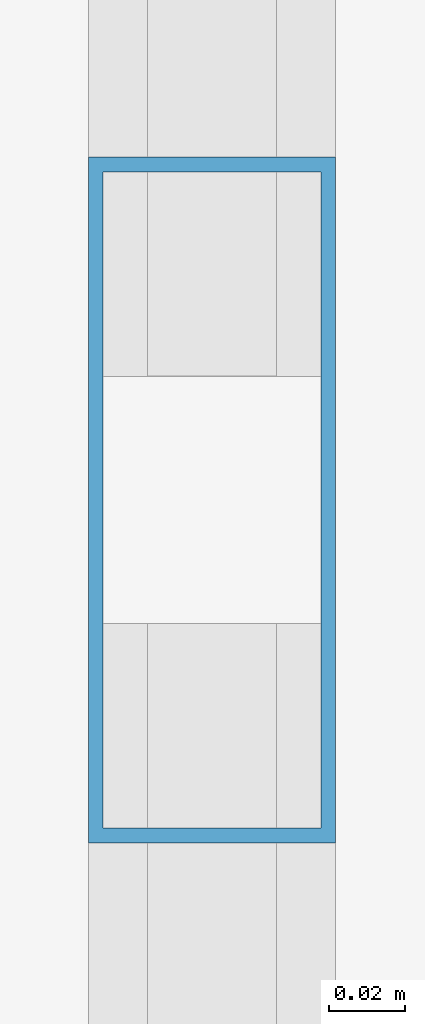
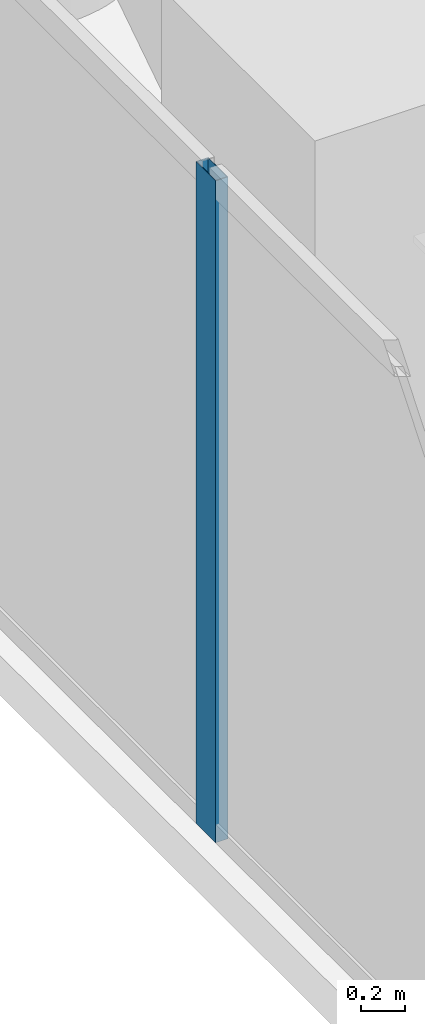
# One storey, part 13 of 30: 1 member, 1 element without a shape of its own.
"""IFC4 building model written with IfcOpenShell, lengths in metres."""

from ifc_helpers import new_model, si_unit, direction, frame, origin, origin_2d, place, context, subcontext, project, spatial, hollow_rectangle, extrude, material, layer, layer_set, material_profile, profile_set, type_object, element, aggregate, save


model = new_model("IFC4")

# Units and contexts
model_context = context("Model", 3, precision=1e-05, world=origin(), true_north=direction((0.0, 1.0)))
body_context = subcontext(model_context, "Body", "Model", "MODEL_VIEW")
ifc_project = project(units=[si_unit("LENGTHUNIT", "METRE"), si_unit("AREAUNIT", "SQUARE_METRE"), si_unit("VOLUMEUNIT", "CUBIC_METRE"), si_unit("PLANEANGLEUNIT", "RADIAN"), si_unit("MASSUNIT", "GRAM", prefix="KILO")], contexts=[model_context])

# Site, building, storey
site_placement = place(None, origin())
site = spatial("IfcSite", under=ifc_project, at=site_placement, CompositionType="ELEMENT")
building_placement = place(site_placement, origin())
building = spatial("IfcBuilding", under=site, at=building_placement, Name="Kiyonajd Concourse Tower", CompositionType="ELEMENT")
storey_placement = place(building_placement, frame((0.0, 0.0, 150.60009765625)))
storey = spatial("IfcBuildingStorey", under=building, at=storey_placement, Name="L38", CompositionType="ELEMENT", Elevation=150.60009765625)

# Curtain wall, member
ifc_material = material(Name="Thermally Broken Anodised Aluminium", Category="aluminium")
ifc_layer = layer(ifc_material, 0.179931640625)
ifc_layer_set = layer_set([ifc_layer], Name="Thermally Broken Anodised Aluminium")
curtain_wall_type = type_object("IfcCurtainWallType", Name="CW-SYS-03", PredefinedType="NOTDEFINED", material=ifc_layer_set)
curtain_wall_placement = place(storey_placement, origin())
curtain_wall = element("IfcCurtainWall", 1, at=curtain_wall_placement, inside=storey, type_object=curtain_wall_type, Name="L38 Unitised Curtain Wall CW3", PredefinedType="NOTDEFINED")
ifc_material_profile = material_profile(ifc_material, hollow_rectangle(XDim=0.06494140625, YDim=0.179931640625, WallThickness=0.00390625, at=origin_2d()), Name="MULL-65x180")
ifc_profile_set = profile_set([ifc_material_profile], Name="Thermally Broken Anodised Aluminium")
member_type = type_object("IfcMemberType", Name="MB-CW-MULL1", PredefinedType="MULLION", material=ifc_profile_set)
member_placement = place(storey_placement, frame((18.139892578125, 53.0146484375, 0.0), z_axis=(0.0, 0.0, 1.0), x_axis=(-1.0, 0.0, 0.0)))
member = element("IfcMember", 2, at=member_placement, type_object=member_type, Name="CW3 mullion 6", PredefinedType="MULLION", context=body_context, shape_type="SweptSolid", body=[
    extrude(hollow_rectangle(XDim=0.06494140625, YDim=0.179931640625, WallThickness=0.00390625, at=origin_2d()), origin(), (0.0, 0.0, 1.0), 3.679931640625),
])
aggregate(curtain_wall, [member])

save(model, "model.ifc")
